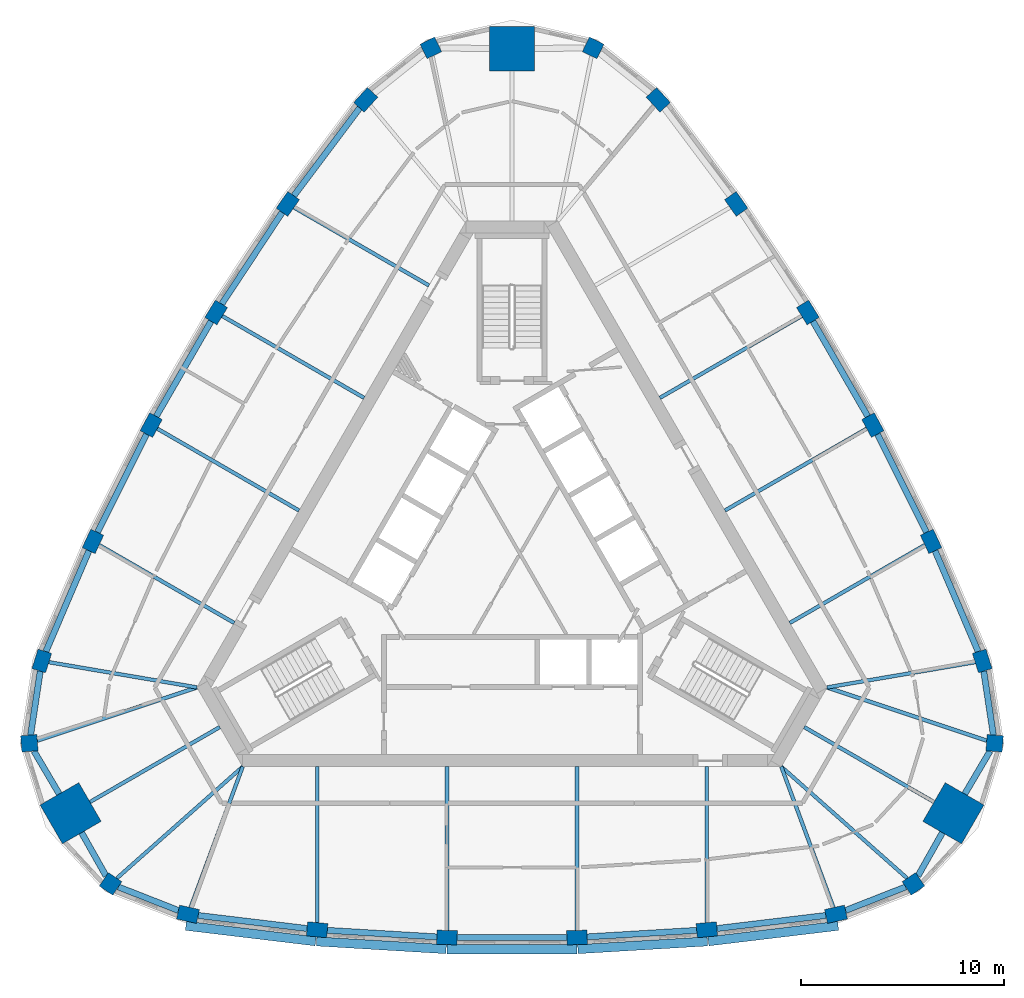
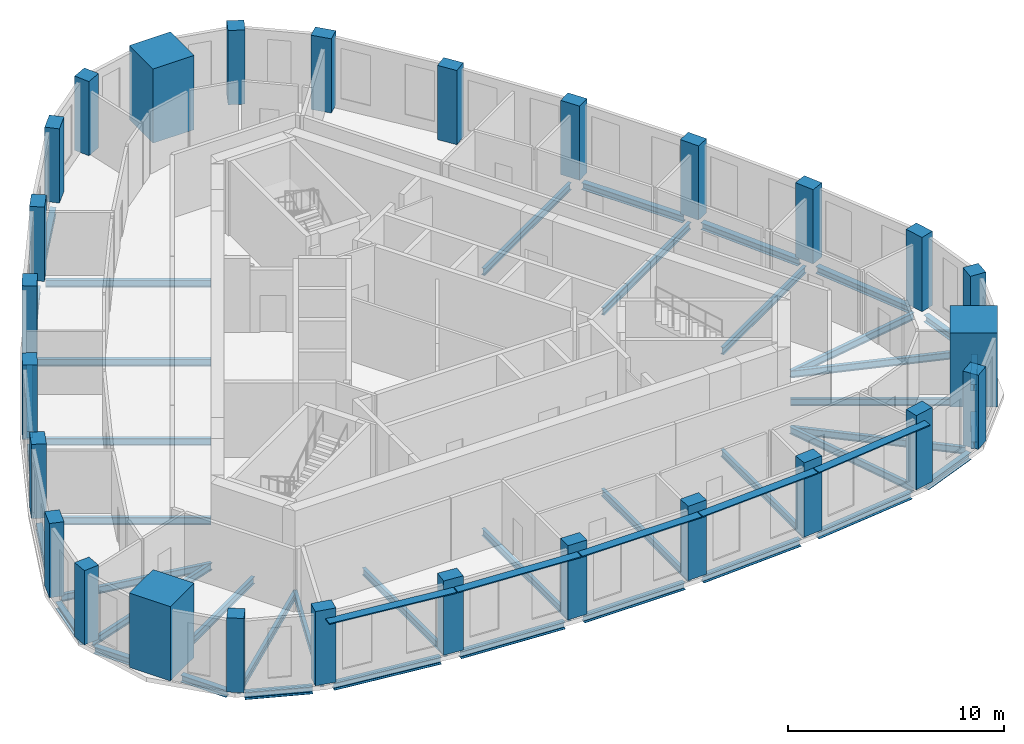
# One storey, part 1 of 10: 42 beams, 27 columns, 5 members.
"""IFC4 building model written with IfcOpenShell, lengths in metres."""

from ifc_helpers import new_model, si_unit, direction, frame, origin, origin_2d, place, context, subcontext, project, spatial, rectangle, i_section, extrude, material, material_profile, profile_set, type_object, element, save


model = new_model("IFC4")

# Units and contexts
model_context = context("Model", 3, precision=1e-05, world=origin(), true_north=direction((0.0, 1.0)))
body_context = subcontext(model_context, "Body", "Model", "MODEL_VIEW")
ifc_project = project(units=[si_unit("LENGTHUNIT", "METRE"), si_unit("AREAUNIT", "SQUARE_METRE"), si_unit("VOLUMEUNIT", "CUBIC_METRE"), si_unit("PLANEANGLEUNIT", "RADIAN"), si_unit("MASSUNIT", "GRAM", prefix="KILO")], contexts=[model_context])

# Site, building, storey
site_placement = place(None, origin())
site = spatial("IfcSite", under=ifc_project, at=site_placement, CompositionType="ELEMENT")
building_placement = place(site_placement, origin())
building = spatial("IfcBuilding", under=site, at=building_placement, Name="Mestral Congress Tower", CompositionType="ELEMENT")
storey_placement = place(building_placement, frame((0.0, 0.0, 275.39990234375)))
storey = spatial("IfcBuildingStorey", under=building, at=storey_placement, Name="L64", CompositionType="ELEMENT", Elevation=275.39990234375)

# Columns
ifc_material_1 = material(Name="Concrete C60/75", Category="concrete")
ifc_material_profile_1 = material_profile(ifc_material_1, rectangle(XDim=1.0, YDim=0.699951171875, at=origin_2d()), Name="RC 1000x700")
ifc_profile_set_1 = profile_set([ifc_material_profile_1], Name="Concrete C60/75")
column_type_1 = type_object("IfcColumnType", Name="Column RC 1000x700 C60/75", PredefinedType="COLUMN", material=ifc_profile_set_1)
for number, where, z_axis, x_axis, name in (
    (1, (-15.940673828125, -17.511962890625, 0.0), (0.0, 0.0, 1.0), (0.976233636503, -0.216720758026, 0.0), "COL-L64-C5-S00"),
    (2, (-9.587158203125, -18.273681640625, 0.0), (0.0, 0.0, 1.0), (0.995997816519, -0.089377567035, 0.0), "COL-L64-C5-S01"),
    (3, (-3.199462890625, -18.6552734375, 0.0), (0.0, 0.0, 1.0), (0.999555031657, -0.029828487872, 0.0), "COL-L64-C5-S02"),
    (4, (3.199462890625, -18.6552734375, 0.0), (0.0, 0.0, 1.0), (0.999555031657, 0.029828487872, 0.0), "COL-L64-C5-S03"),
    (5, (9.587158203125, -18.273681640625, 0.0), (0.0, 0.0, 1.0), (0.995997816519, 0.089377567035, 0.0), "COL-L64-C5-S04"),
    (6, (15.940673828125, -17.511962890625, 0.0), (0.0, 0.0, 1.0), (0.976233636503, 0.216720758026, 0.0), "COL-L64-C5-S05"),
    (7, (23.135986328125, -5.049072265625, 0.0), (0.0, 0.0, 1.0), (-0.300431136274, 0.953803508254, 0.0), "COL-L64-C5-E00"),
    (8, (20.618896484375, 0.833984375, 0.0), (0.0, 0.0, 1.0), (-0.420595664679, 0.907248194737, 0.0), "COL-L64-C5-E01"),
    (9, (17.755615234375, 6.556640625, 0.0), (0.0, 0.0, 1.0), (-0.473945287575, 0.880554293832, 0.0), "COL-L64-C5-E02"),
    (10, (14.55615234375, 12.098388671875, 0.0), (0.0, 0.0, 1.0), (-0.525609744083, 0.850725805959, 0.0), "COL-L64-C5-E03"),
    (11, (11.031982421875, 17.439697265625, 0.0), (0.0, 0.0, 1.0), (-0.57540215184, 0.817870627702, 0.0), "COL-L64-C5-E04"),
    (12, (7.1953125, 22.56103515625, 0.0), (0.0, 0.0, 1.0), (-0.67580250023, 0.737082750228, 0.0), "COL-L64-C5-E05"),
    (13, (-7.1953125, 22.56103515625, 0.0), (0.0, 0.0, 1.0), (-0.67580250023, -0.737082750228, 0.0), "COL-L64-C5-W00"),
    (14, (-11.031982421875, 17.439697265625, 0.0), (0.0, 0.0, 1.0), (-0.57540215184, -0.817870627702, 0.0), "COL-L64-C5-W01"),
    (15, (-14.55615234375, 12.098388671875, 0.0), (0.0, 0.0, 1.0), (-0.525609744083, -0.850725805959, 0.0), "COL-L64-C5-W02"),
    (16, (-17.755615234375, 6.556640625, 0.0), (0.0, 0.0, 1.0), (-0.473945287575, -0.880554293832, 0.0), "COL-L64-C5-W03"),
    (17, (-20.618896484375, 0.833984375, 0.0), (0.0, 0.0, 1.0), (-0.420595664679, -0.907248194737, 0.0), "COL-L64-C5-W04"),
    (18, (-23.135986328125, -5.049072265625, 0.0), (0.0, 0.0, 1.0), (-0.300431136274, -0.953803508254, 0.0), "COL-L64-C5-W05"),
):
    element("IfcColumn", number, at=place(storey_placement, frame(where, z_axis=z_axis, x_axis=x_axis)), inside=storey, type_object=column_type_1, Name=name, PredefinedType="COLUMN", context=body_context, shape_type="SweptSolid", body=[
        extrude(rectangle(XDim=1.0, YDim=0.699951171875, at=origin_2d()), origin(), (0.0, 0.0, 1.0), 4.2001953125),
    ])
ifc_material_profile_2 = material_profile(ifc_material_1, rectangle(XDim=0.800048828125, YDim=0.800048828125, at=origin_2d()), Name="RC 800x800")
ifc_profile_set_2 = profile_set([ifc_material_profile_2], Name="Concrete C60/75")
column_type_2 = type_object("IfcColumnType", Name="Column RC 800x800 C60/75", PredefinedType="COLUMN", material=ifc_profile_set_2)
for number, where, z_axis, x_axis, name in (
    (19, (19.75439453125, -16.0166015625, 0.0), (0.0, 0.0, 1.0), (0.826362775296, 0.563138139008, 0.0), "COL-L64-C5-SE1"),
    (20, (23.748046875, -9.099609375, 0.0), (0.0, 0.0, 1.0), (0.074510546573, 0.997220225652, 0.0), "COL-L64-C5-SE3"),
    (21, (3.993408203125, 25.1162109375, 0.0), (0.0, 0.0, 1.0), (-0.900873321869, 0.434082086644, 0.0), "COL-L64-C5-N1"),
    (22, (-3.993408203125, 25.1162109375, 0.0), (0.0, 0.0, 1.0), (-0.900873321869, -0.434082086644, 0.0), "COL-L64-C5-N3"),
    (23, (-23.748046875, -9.099609375, 0.0), (0.0, 0.0, 1.0), (0.074510546573, -0.997220225652, 0.0), "COL-L64-C5-SW1"),
    (24, (-19.75439453125, -16.0166015625, 0.0), (0.0, 0.0, 1.0), (0.826362775296, -0.563138139008, 0.0), "COL-L64-C5-SW3"),
):
    element("IfcColumn", number, at=place(storey_placement, frame(where, z_axis=z_axis, x_axis=x_axis)), inside=storey, type_object=column_type_2, Name=name, PredefinedType="COLUMN", context=body_context, shape_type="SweptSolid", body=[
        extrude(rectangle(XDim=0.800048828125, YDim=0.800048828125, at=origin_2d()), origin(), (0.0, 0.0, 1.0), 4.2001953125),
    ])
ifc_material_profile_3 = material_profile(ifc_material_1, rectangle(XDim=2.199951171875, YDim=2.199951171875, at=origin_2d()), Name="RC 2200x2200")
ifc_profile_set_3 = profile_set([ifc_material_profile_3], Name="Concrete C60/75")
column_type_3 = type_object("IfcColumnType", Name="Mega column RC 2200x2200 C60/75", PredefinedType="COLUMN", material=ifc_profile_set_3)
for number, where, z_axis, x_axis, name in (
    (25, (21.71826171875, -12.5390625, 0.0), (0.0, 0.0, 1.0), (0.866025403784, -0.5, 0.0), "COL-L64-PY5-SE"),
    (26, (0.0, 25.078125, 0.0), (0.0, 0.0, 1.0), (0.0, 1.0, 0.0), "COL-L64-PY5-N"),
    (27, (-21.71826171875, -12.5390625, 0.0), (0.0, 0.0, 1.0), (-0.866025403784, -0.5, 0.0), "COL-L64-PY5-SW"),
):
    element("IfcColumn", number, at=place(storey_placement, frame(where, z_axis=z_axis, x_axis=x_axis)), inside=storey, type_object=column_type_3, Name=name, PredefinedType="COLUMN", context=body_context, shape_type="SweptSolid", body=[
        extrude(rectangle(XDim=2.199951171875, YDim=2.199951171875, at=origin_2d()), origin(), (0.0, 0.0, 1.0), 4.2001953125),
    ])

# Members
ifc_material_2 = material(Name="Glazed ceramic", Category="masonry")
ifc_material_profile_4 = material_profile(ifc_material_2, rectangle(XDim=0.449951171875, YDim=0.06005859375, at=origin_2d()), Name="Ceramic blade 450 x 60")
ifc_profile_set_4 = profile_set([ifc_material_profile_4], Name="Glazed ceramic")
member_type = type_object("IfcMemberType", Name="Facade sunshade blade 450 x 60", PredefinedType="USERDEFINED", material=ifc_profile_set_4)
member_1_placement = place(storey_placement, frame((-16.04638671875, -18.078369140625, 3.68017578125), z_axis=(0.992890306953, -0.119032929725, 0.0), x_axis=(0.119032929725, 0.992890306953, 0.0)))
element("IfcMember", 28, at=member_1_placement, inside=storey, type_object=member_type, Name="Sunshade F0-00", ObjectType="SUNSHADE", PredefinedType="USERDEFINED", context=body_context, shape_type="SweptSolid", body=[
    extrude(rectangle(XDim=0.449951171875, YDim=0.06005859375, at=origin_2d()), origin(), (0.0, 0.0, 1.0), 6.429931640625),
])
member_2_placement = place(storey_placement, frame((-9.614990234375, -18.84814453125, 3.68017578125), z_axis=(0.998222174469, -0.059602771735, 0.0), x_axis=(0.059602771735, 0.998222174469, 0.0)))
element("IfcMember", 29, at=member_2_placement, inside=storey, type_object=member_type, Name="Sunshade F0-01", ObjectType="SUNSHADE", PredefinedType="USERDEFINED", context=body_context, shape_type="SweptSolid", body=[
    extrude(rectangle(XDim=0.449951171875, YDim=0.06005859375, at=origin_2d()), origin(), (0.0, 0.0, 1.0), 6.385986328125),
])
member_3_placement = place(storey_placement, frame((-3.193115234375, -19.230224609375, 3.68017578125), z_axis=(1.0, 0.0, 0.0), x_axis=(0.0, 1.0, 0.0)))
element("IfcMember", 30, at=member_3_placement, inside=storey, type_object=member_type, Name="Sunshade F0-02", ObjectType="SUNSHADE", PredefinedType="USERDEFINED", context=body_context, shape_type="SweptSolid", body=[
    extrude(rectangle(XDim=0.449951171875, YDim=0.06005859375, at=origin_2d()), origin(), (0.0, 0.0, 1.0), 6.38623046875),
])
member_4_placement = place(storey_placement, frame((3.240478515625, -19.228759765625, 3.68017578125), z_axis=(0.998222174469, 0.059602771735, 0.0), x_axis=(-0.059602771735, 0.998222174469, 0.0)))
element("IfcMember", 31, at=member_4_placement, inside=storey, type_object=member_type, Name="Sunshade F0-03", ObjectType="SUNSHADE", PredefinedType="USERDEFINED", context=body_context, shape_type="SweptSolid", body=[
    extrude(rectangle(XDim=0.449951171875, YDim=0.06005859375, at=origin_2d()), origin(), (0.0, 0.0, 1.0), 6.385986328125),
])
member_5_placement = place(storey_placement, frame((9.662109375, -18.84375, 3.68017578125), z_axis=(0.992890306953, 0.119032929725, 0.0), x_axis=(-0.119032929725, 0.992890306953, 0.0)))
element("IfcMember", 32, at=member_5_placement, inside=storey, type_object=member_type, Name="Sunshade F0-04", ObjectType="SUNSHADE", PredefinedType="USERDEFINED", context=body_context, shape_type="SweptSolid", body=[
    extrude(rectangle(XDim=0.449951171875, YDim=0.06005859375, at=origin_2d()), origin(), (0.0, 0.0, 1.0), 6.429931640625),
])

# Beams
ifc_material_3 = material(Name="Steel S355", Category="steel")
ifc_material_profile_5 = material_profile(ifc_material_3, i_section(OverallWidth=0.179931640625, OverallDepth=0.39990234375, WebThickness=0.008544921875, FlangeThickness=0.013427734375, FilletRadius=0.02099609375, at=origin_2d()), Name="IPE 400")
ifc_profile_set_5 = profile_set([ifc_material_profile_5], Name="Steel S355")
beam_type_1 = type_object("IfcBeamType", Name="Floor beam IPE 400 S355", PredefinedType="BEAM", material=ifc_profile_set_5)
beam_1_placement = place(storey_placement, frame((-15.81787109375, -17.1806640625, -0.449951171875), z_axis=(0.347399345496, 0.937717278687, 0.0), x_axis=(-0.937717278687, 0.347399345496, 0.0)))
element("IfcBeam", 33, at=beam_1_placement, inside=storey, type_object=beam_type_1, Name="BM-L64-RB5-S00", PredefinedType="BEAM", context=body_context, shape_type="SweptSolid", body=[
    extrude(i_section(OverallWidth=0.179931640625, OverallDepth=0.39990234375, WebThickness=0.008544921875, FlangeThickness=0.013427734375, FilletRadius=0.02099609375, at=origin_2d()), origin(), (0.0, 0.0, 1.0), 7.39111328125),
])
beam_2_placement = place(storey_placement, frame((-9.587158203125, -17.92236328125, -0.449951171875), z_axis=(0.0, 1.0, 0.0), x_axis=(-1.0, 0.0, 0.0)))
element("IfcBeam", 34, at=beam_2_placement, inside=storey, type_object=beam_type_1, Name="BM-L64-RB5-S01", PredefinedType="BEAM", context=body_context, shape_type="SweptSolid", body=[
    extrude(i_section(OverallWidth=0.179931640625, OverallDepth=0.39990234375, WebThickness=0.008544921875, FlangeThickness=0.013427734375, FilletRadius=0.02099609375, at=origin_2d()), origin(), (0.0, 0.0, 1.0), 7.67236328125),
])
for number, where, z_axis, x_axis, name in (
    (35, (-3.199462890625, -18.304931640625, -0.449951171875), (0.0, 1.0, 0.0), (-1.0, 0.0, 0.0), "BM-L64-RB5-S02"),
    (36, (3.199462890625, -18.304931640625, -0.449951171875), (0.0, 1.0, 0.0), (-1.0, 0.0, 0.0), "BM-L64-RB5-S03"),
):
    element("IfcBeam", number, at=place(storey_placement, frame(where, z_axis=z_axis, x_axis=x_axis)), inside=storey, type_object=beam_type_1, Name=name, PredefinedType="BEAM", context=body_context, shape_type="SweptSolid", body=[
        extrude(i_section(OverallWidth=0.179931640625, OverallDepth=0.39990234375, WebThickness=0.008544921875, FlangeThickness=0.013427734375, FilletRadius=0.02099609375, at=origin_2d()), origin(), (0.0, 0.0, 1.0), 8.054931640625),
    ])
beam_3_placement = place(storey_placement, frame((9.587158203125, -17.92236328125, -0.449951171875), z_axis=(0.0, 1.0, 0.0), x_axis=(-1.0, 0.0, 0.0)))
element("IfcBeam", 37, at=beam_3_placement, inside=storey, type_object=beam_type_1, Name="BM-L64-RB5-S04", PredefinedType="BEAM", context=body_context, shape_type="SweptSolid", body=[
    extrude(i_section(OverallWidth=0.179931640625, OverallDepth=0.39990234375, WebThickness=0.008544921875, FlangeThickness=0.013427734375, FilletRadius=0.02099609375, at=origin_2d()), origin(), (0.0, 0.0, 1.0), 7.67236328125),
])
beam_4_placement = place(storey_placement, frame((15.81787109375, -17.1806640625, -0.449951171875), z_axis=(-0.347399345496, 0.937717278687, 0.0), x_axis=(-0.937717278687, -0.347399345496, 0.0)))
element("IfcBeam", 38, at=beam_4_placement, inside=storey, type_object=beam_type_1, Name="BM-L64-RB5-S05", PredefinedType="BEAM", context=body_context, shape_type="SweptSolid", body=[
    extrude(i_section(OverallWidth=0.179931640625, OverallDepth=0.39990234375, WebThickness=0.008544921875, FlangeThickness=0.013427734375, FilletRadius=0.02099609375, at=origin_2d()), origin(), (0.0, 0.0, 1.0), 7.39111328125),
])
beam_5_placement = place(storey_placement, frame((19.44580078125, -15.742919921875, -0.449951171875), z_axis=(-0.74826277439, 0.663402457383, 0.0), x_axis=(-0.663402457383, -0.74826277439, 0.0)))
element("IfcBeam", 39, at=beam_5_placement, inside=storey, type_object=beam_type_1, Name="BM-L64-RB5-SE1", PredefinedType="BEAM", context=body_context, shape_type="SweptSolid", body=[
    extrude(i_section(OverallWidth=0.179931640625, OverallDepth=0.39990234375, WebThickness=0.008544921875, FlangeThickness=0.013427734375, FilletRadius=0.02099609375, at=origin_2d()), origin(), (0.0, 0.0, 1.0), 8.280029296875),
])
beam_6_placement = place(storey_placement, frame((20.765625, -11.989013671875, -0.449951171875), z_axis=(-0.866031296205, 0.499989793889, 0.0), x_axis=(-0.499989793889, -0.866031296205, 0.0)))
element("IfcBeam", 40, at=beam_6_placement, inside=storey, type_object=beam_type_1, Name="BM-L64-RB5-SE", PredefinedType="BEAM", context=body_context, shape_type="SweptSolid", body=[
    extrude(i_section(OverallWidth=0.179931640625, OverallDepth=0.39990234375, WebThickness=0.008544921875, FlangeThickness=0.013427734375, FilletRadius=0.02099609375, at=origin_2d()), origin(), (0.0, 0.0, 1.0), 7.378173828125),
])
beam_7_placement = place(storey_placement, frame((23.356689453125, -8.968994140625, -0.449951171875), z_axis=(-0.948659706446, 0.316298532031, 0.0), x_axis=(-0.316298532031, -0.948659706446, 0.0)))
element("IfcBeam", 41, at=beam_7_placement, inside=storey, type_object=beam_type_1, Name="BM-L64-RB5-SE3", PredefinedType="BEAM", context=body_context, shape_type="SweptSolid", body=[
    extrude(i_section(OverallWidth=0.179931640625, OverallDepth=0.39990234375, WebThickness=0.008544921875, FlangeThickness=0.013427734375, FilletRadius=0.02099609375, at=origin_2d()), origin(), (0.0, 0.0, 1.0), 8.27978515625),
])
beam_8_placement = place(storey_placement, frame((22.787841796875, -5.1083984375, -0.449951171875), z_axis=(-0.985786503242, -0.168002886958, 0.0), x_axis=(0.168002886958, -0.985786503242, 0.0)))
element("IfcBeam", 42, at=beam_8_placement, inside=storey, type_object=beam_type_1, Name="BM-L64-RB5-E00", PredefinedType="BEAM", context=body_context, shape_type="SweptSolid", body=[
    extrude(i_section(OverallWidth=0.179931640625, OverallDepth=0.39990234375, WebThickness=0.008544921875, FlangeThickness=0.013427734375, FilletRadius=0.02099609375, at=origin_2d()), origin(), (0.0, 0.0, 1.0), 7.390869140625),
])
beam_9_placement = place(storey_placement, frame((20.314697265625, 0.658447265625, -0.449951171875), z_axis=(-0.866019720907, -0.500009842903, 0.0), x_axis=(0.500009842903, -0.866019720907, 0.0)))
element("IfcBeam", 43, at=beam_9_placement, inside=storey, type_object=beam_type_1, Name="BM-L64-RB5-E01", PredefinedType="BEAM", context=body_context, shape_type="SweptSolid", body=[
    extrude(i_section(OverallWidth=0.179931640625, OverallDepth=0.39990234375, WebThickness=0.008544921875, FlangeThickness=0.013427734375, FilletRadius=0.02099609375, at=origin_2d()), origin(), (0.0, 0.0, 1.0), 7.672119140625),
])
for number, where, z_axis, x_axis, name in (
    (44, (17.452392578125, 6.381591796875, -0.449951171875), (-0.866020537834, -0.500008427979, 0.0), (0.500008427979, -0.866020537834, 0.0), "BM-L64-RB5-E02"),
    (45, (14.2529296875, 11.92333984375, -0.449951171875), (-0.866033662086, -0.499985695929, 0.0), (0.499985695929, -0.866033662086, 0.0), "BM-L64-RB5-E03"),
):
    element("IfcBeam", number, at=place(storey_placement, frame(where, z_axis=z_axis, x_axis=x_axis)), inside=storey, type_object=beam_type_1, Name=name, PredefinedType="BEAM", context=body_context, shape_type="SweptSolid", body=[
        extrude(i_section(OverallWidth=0.179931640625, OverallDepth=0.39990234375, WebThickness=0.008544921875, FlangeThickness=0.013427734375, FilletRadius=0.02099609375, at=origin_2d()), origin(), (0.0, 0.0, 1.0), 8.054931640625),
    ])
beam_10_placement = place(storey_placement, frame((-10.7275390625, 17.263916015625, -0.449951171875), z_axis=(0.866019720907, -0.500009842903, 0.0), x_axis=(0.500009842903, 0.866019720907, 0.0)))
element("IfcBeam", 46, at=beam_10_placement, inside=storey, type_object=beam_type_1, Name="BM-L64-RB5-W01", PredefinedType="BEAM", context=body_context, shape_type="SweptSolid", body=[
    extrude(i_section(OverallWidth=0.179931640625, OverallDepth=0.39990234375, WebThickness=0.008544921875, FlangeThickness=0.013427734375, FilletRadius=0.02099609375, at=origin_2d()), origin(), (0.0, 0.0, 1.0), 7.672119140625),
])
for number, where, z_axis, x_axis, name in (
    (47, (-14.2529296875, 11.92333984375, -0.449951171875), (0.866033662086, -0.499985695929, 0.0), (0.499985695929, 0.866033662086, 0.0), "BM-L64-RB5-W02"),
    (48, (-17.452392578125, 6.381591796875, -0.449951171875), (0.866020537834, -0.500008427979, 0.0), (0.500008427979, 0.866020537834, 0.0), "BM-L64-RB5-W03"),
):
    element("IfcBeam", number, at=place(storey_placement, frame(where, z_axis=z_axis, x_axis=x_axis)), inside=storey, type_object=beam_type_1, Name=name, PredefinedType="BEAM", context=body_context, shape_type="SweptSolid", body=[
        extrude(i_section(OverallWidth=0.179931640625, OverallDepth=0.39990234375, WebThickness=0.008544921875, FlangeThickness=0.013427734375, FilletRadius=0.02099609375, at=origin_2d()), origin(), (0.0, 0.0, 1.0), 8.054931640625),
    ])
beam_11_placement = place(storey_placement, frame((-20.314697265625, 0.658447265625, -0.449951171875), z_axis=(0.866019720907, -0.500009842903, 0.0), x_axis=(0.500009842903, 0.866019720907, 0.0)))
element("IfcBeam", 49, at=beam_11_placement, inside=storey, type_object=beam_type_1, Name="BM-L64-RB5-W04", PredefinedType="BEAM", context=body_context, shape_type="SweptSolid", body=[
    extrude(i_section(OverallWidth=0.179931640625, OverallDepth=0.39990234375, WebThickness=0.008544921875, FlangeThickness=0.013427734375, FilletRadius=0.02099609375, at=origin_2d()), origin(), (0.0, 0.0, 1.0), 7.672119140625),
])
beam_12_placement = place(storey_placement, frame((-22.787841796875, -5.1083984375, -0.449951171875), z_axis=(0.985786503242, -0.168002886958, 0.0), x_axis=(0.168002886958, 0.985786503242, 0.0)))
element("IfcBeam", 50, at=beam_12_placement, inside=storey, type_object=beam_type_1, Name="BM-L64-RB5-W05", PredefinedType="BEAM", context=body_context, shape_type="SweptSolid", body=[
    extrude(i_section(OverallWidth=0.179931640625, OverallDepth=0.39990234375, WebThickness=0.008544921875, FlangeThickness=0.013427734375, FilletRadius=0.02099609375, at=origin_2d()), origin(), (0.0, 0.0, 1.0), 7.390869140625),
])
beam_13_placement = place(storey_placement, frame((-23.356689453125, -8.968994140625, -0.449951171875), z_axis=(0.948659706446, 0.316298532031, 0.0), x_axis=(-0.316298532031, 0.948659706446, 0.0)))
element("IfcBeam", 51, at=beam_13_placement, inside=storey, type_object=beam_type_1, Name="BM-L64-RB5-SW1", PredefinedType="BEAM", context=body_context, shape_type="SweptSolid", body=[
    extrude(i_section(OverallWidth=0.179931640625, OverallDepth=0.39990234375, WebThickness=0.008544921875, FlangeThickness=0.013427734375, FilletRadius=0.02099609375, at=origin_2d()), origin(), (0.0, 0.0, 1.0), 8.27978515625),
])
beam_14_placement = place(storey_placement, frame((-20.765625, -11.989013671875, -0.449951171875), z_axis=(0.866031296205, 0.499989793889, 0.0), x_axis=(-0.499989793889, 0.866031296205, 0.0)))
element("IfcBeam", 52, at=beam_14_placement, inside=storey, type_object=beam_type_1, Name="BM-L64-RB5-SW", PredefinedType="BEAM", context=body_context, shape_type="SweptSolid", body=[
    extrude(i_section(OverallWidth=0.179931640625, OverallDepth=0.39990234375, WebThickness=0.008544921875, FlangeThickness=0.013427734375, FilletRadius=0.02099609375, at=origin_2d()), origin(), (0.0, 0.0, 1.0), 7.378173828125),
])
beam_15_placement = place(storey_placement, frame((-19.44580078125, -15.742919921875, -0.449951171875), z_axis=(0.74826277439, 0.663402457383, 0.0), x_axis=(-0.663402457383, 0.74826277439, 0.0)))
element("IfcBeam", 53, at=beam_15_placement, inside=storey, type_object=beam_type_1, Name="BM-L64-RB5-SW3", PredefinedType="BEAM", context=body_context, shape_type="SweptSolid", body=[
    extrude(i_section(OverallWidth=0.179931640625, OverallDepth=0.39990234375, WebThickness=0.008544921875, FlangeThickness=0.013427734375, FilletRadius=0.02099609375, at=origin_2d()), origin(), (0.0, 0.0, 1.0), 8.280029296875),
])
ifc_material_profile_6 = material_profile(ifc_material_3, i_section(OverallWidth=0.300048828125, OverallDepth=0.389892578125, WebThickness=0.010986328125, FlangeThickness=0.01904296875, FilletRadius=0.027099609375, at=origin_2d()), Name="HEA 400")
ifc_profile_set_6 = profile_set([ifc_material_profile_6], Name="Steel S355")
beam_type_2 = type_object("IfcBeamType", Name="Spandrel beam HEA 400 S355", PredefinedType="BEAM", material=ifc_profile_set_6)
beam_16_placement = place(storey_placement, frame((-15.44189453125, -17.57177734375, -0.44482421875), z_axis=(0.992890319222, -0.119032827389, 0.0), x_axis=(0.119032827389, 0.992890319222, 0.0)))
element("IfcBeam", 54, at=beam_16_placement, inside=storey, type_object=beam_type_2, Name="SP-L64-SB5-S00", PredefinedType="BEAM", context=body_context, shape_type="SweptSolid", body=[
    extrude(i_section(OverallWidth=0.300048828125, OverallDepth=0.389892578125, WebThickness=0.010986328125, FlangeThickness=0.01904296875, FilletRadius=0.027099609375, at=origin_2d()), origin(), (0.0, 0.0, 1.0), 5.396240234375),
])
beam_17_placement = place(storey_placement, frame((-9.087890625, -18.303466796875, -0.44482421875), z_axis=(0.998219522722, -0.059647166371, 0.0), x_axis=(0.059647166371, 0.998219522722, 0.0)))
element("IfcBeam", 55, at=beam_17_placement, inside=storey, type_object=beam_type_2, Name="SP-L64-SB5-S01", PredefinedType="BEAM", context=body_context, shape_type="SweptSolid", body=[
    extrude(i_section(OverallWidth=0.300048828125, OverallDepth=0.389892578125, WebThickness=0.010986328125, FlangeThickness=0.01904296875, FilletRadius=0.027099609375, at=origin_2d()), origin(), (0.0, 0.0, 1.0), 5.398681640625),
])
beam_18_placement = place(storey_placement, frame((-2.69921875, -18.6552734375, -0.44482421875), z_axis=(1.0, 0.0, 0.0), x_axis=(0.0, 1.0, 0.0)))
element("IfcBeam", 56, at=beam_18_placement, inside=storey, type_object=beam_type_2, Name="SP-L64-SB5-S02", PredefinedType="BEAM", context=body_context, shape_type="SweptSolid", body=[
    extrude(i_section(OverallWidth=0.300048828125, OverallDepth=0.389892578125, WebThickness=0.010986328125, FlangeThickness=0.01904296875, FilletRadius=0.027099609375, at=origin_2d()), origin(), (0.0, 0.0, 1.0), 5.3984375),
])
beam_19_placement = place(storey_placement, frame((3.69873046875, -18.62548828125, -0.44482421875), z_axis=(0.998219522722, 0.059647166371, 0.0), x_axis=(-0.059647166371, 0.998219522722, 0.0)))
element("IfcBeam", 57, at=beam_19_placement, inside=storey, type_object=beam_type_2, Name="SP-L64-SB5-S03", PredefinedType="BEAM", context=body_context, shape_type="SweptSolid", body=[
    extrude(i_section(OverallWidth=0.300048828125, OverallDepth=0.389892578125, WebThickness=0.010986328125, FlangeThickness=0.01904296875, FilletRadius=0.027099609375, at=origin_2d()), origin(), (0.0, 0.0, 1.0), 5.398681640625),
])
beam_20_placement = place(storey_placement, frame((10.083984375, -18.214111328125, -0.44482421875), z_axis=(0.992890319222, 0.119032827389, 0.0), x_axis=(-0.119032827389, 0.992890319222, 0.0)))
element("IfcBeam", 58, at=beam_20_placement, inside=storey, type_object=beam_type_2, Name="SP-L64-SB5-S04", PredefinedType="BEAM", context=body_context, shape_type="SweptSolid", body=[
    extrude(i_section(OverallWidth=0.300048828125, OverallDepth=0.389892578125, WebThickness=0.010986328125, FlangeThickness=0.01904296875, FilletRadius=0.027099609375, at=origin_2d()), origin(), (0.0, 0.0, 1.0), 5.396240234375),
])
beam_21_placement = place(storey_placement, frame((16.411865234375, -17.3271484375, -0.44482421875), z_axis=(0.930980873283, 0.365067957485, 0.0), x_axis=(-0.365067957485, 0.930980873283, 0.0)))
element("IfcBeam", 59, at=beam_21_placement, inside=storey, type_object=beam_type_2, Name="SP-L64-SB5-S05", PredefinedType="BEAM", context=body_context, shape_type="SweptSolid", body=[
    extrude(i_section(OverallWidth=0.300048828125, OverallDepth=0.389892578125, WebThickness=0.010986328125, FlangeThickness=0.01904296875, FilletRadius=0.027099609375, at=origin_2d()), origin(), (0.0, 0.0, 1.0), 3.179931640625),
])
beam_22_placement = place(storey_placement, frame((19.9736328125, -15.628173828125, -0.44482421875), z_axis=(0.491728558518, 0.870748542771, 0.0), x_axis=(-0.870748542771, 0.491728558518, 0.0)))
element("IfcBeam", 60, at=beam_22_placement, inside=storey, type_object=beam_type_2, Name="SP-L64-SB5-SE1", PredefinedType="BEAM", context=body_context, shape_type="SweptSolid", body=[
    extrude(i_section(OverallWidth=0.300048828125, OverallDepth=0.389892578125, WebThickness=0.010986328125, FlangeThickness=0.01904296875, FilletRadius=0.027099609375, at=origin_2d()), origin(), (0.0, 0.0, 1.0), 2.44775390625),
])
beam_23_placement = place(storey_placement, frame((22.27734375, -11.591552734375, -0.44482421875), z_axis=(0.508218412694, 0.861228218882, 0.0), x_axis=(-0.861228218882, 0.508218412694, 0.0)))
element("IfcBeam", 61, at=beam_23_placement, inside=storey, type_object=beam_type_2, Name="SP-L64-SB5-SE", PredefinedType="BEAM", context=body_context, shape_type="SweptSolid", body=[
    extrude(i_section(OverallWidth=0.300048828125, OverallDepth=0.389892578125, WebThickness=0.010986328125, FlangeThickness=0.01904296875, FilletRadius=0.027099609375, at=origin_2d()), origin(), (0.0, 0.0, 1.0), 2.447509765625),
])
beam_24_placement = place(storey_placement, frame((23.686767578125, -8.69384765625, -0.44482421875), z_axis=(-0.149402818736, 0.98877641444, 0.0), x_axis=(-0.98877641444, -0.149402818736, 0.0)))
element("IfcBeam", 62, at=beam_24_placement, inside=storey, type_object=beam_type_2, Name="SP-L64-SB5-SE3", PredefinedType="BEAM", context=body_context, shape_type="SweptSolid", body=[
    extrude(i_section(OverallWidth=0.300048828125, OverallDepth=0.389892578125, WebThickness=0.010986328125, FlangeThickness=0.01904296875, FilletRadius=0.027099609375, at=origin_2d()), origin(), (0.0, 0.0, 1.0), 3.179931640625),
])
beam_25_placement = place(storey_placement, frame((22.9384765625, -4.587158203125, -0.44482421875), z_axis=(-0.393367759324, 0.919381208164, 0.0), x_axis=(-0.919381208164, -0.393367759324, 0.0)))
element("IfcBeam", 63, at=beam_25_placement, inside=storey, type_object=beam_type_2, Name="SP-L64-SB5-E00", PredefinedType="BEAM", context=body_context, shape_type="SweptSolid", body=[
    extrude(i_section(OverallWidth=0.300048828125, OverallDepth=0.389892578125, WebThickness=0.010986328125, FlangeThickness=0.01904296875, FilletRadius=0.027099609375, at=origin_2d()), origin(), (0.0, 0.0, 1.0), 5.396484375),
])
beam_26_placement = place(storey_placement, frame((20.395263671875, 1.281494140625, -0.44482421875), z_axis=(-0.44748491494, 0.894291479832, 0.0), x_axis=(-0.894291479832, -0.44748491494, 0.0)))
element("IfcBeam", 64, at=beam_26_placement, inside=storey, type_object=beam_type_2, Name="SP-L64-SB5-E01", PredefinedType="BEAM", context=body_context, shape_type="SweptSolid", body=[
    extrude(i_section(OverallWidth=0.300048828125, OverallDepth=0.389892578125, WebThickness=0.010986328125, FlangeThickness=0.01904296875, FilletRadius=0.027099609375, at=origin_2d()), origin(), (0.0, 0.0, 1.0), 5.3984375),
])
beam_27_placement = place(storey_placement, frame((17.505615234375, 6.989990234375, -0.44482421875), z_axis=(-0.500025177812, 0.86601086688, 0.0), x_axis=(-0.86601086688, -0.500025177812, 0.0)))
element("IfcBeam", 65, at=beam_27_placement, inside=storey, type_object=beam_type_2, Name="SP-L64-SB5-E02", PredefinedType="BEAM", context=body_context, shape_type="SweptSolid", body=[
    extrude(i_section(OverallWidth=0.300048828125, OverallDepth=0.389892578125, WebThickness=0.010986328125, FlangeThickness=0.01904296875, FilletRadius=0.027099609375, at=origin_2d()), origin(), (0.0, 0.0, 1.0), 5.398681640625),
])
beam_28_placement = place(storey_placement, frame((-7.49658203125, 22.158935546875, -0.44482421875), z_axis=(-0.599529393236, -0.800352738888, 0.0), x_axis=(0.800352738888, -0.599529393236, 0.0)))
element("IfcBeam", 66, at=beam_28_placement, inside=storey, type_object=beam_type_2, Name="SP-L64-SB5-W00", PredefinedType="BEAM", context=body_context, shape_type="SweptSolid", body=[
    extrude(i_section(OverallWidth=0.300048828125, OverallDepth=0.389892578125, WebThickness=0.010986328125, FlangeThickness=0.01904296875, FilletRadius=0.027099609375, at=origin_2d()), origin(), (0.0, 0.0, 1.0), 5.396484375),
])
beam_29_placement = place(storey_placement, frame((-11.307373046875, 17.02197265625, -0.44482421875), z_axis=(-0.550748957655, -0.83467094453, 0.0), x_axis=(0.83467094453, -0.550748957655, 0.0)))
element("IfcBeam", 67, at=beam_29_placement, inside=storey, type_object=beam_type_2, Name="SP-L64-SB5-W01", PredefinedType="BEAM", context=body_context, shape_type="SweptSolid", body=[
    extrude(i_section(OverallWidth=0.300048828125, OverallDepth=0.389892578125, WebThickness=0.010986328125, FlangeThickness=0.01904296875, FilletRadius=0.027099609375, at=origin_2d()), origin(), (0.0, 0.0, 1.0), 5.3984375),
])
beam_30_placement = place(storey_placement, frame((-14.80615234375, 11.665283203125, -0.44482421875), z_axis=(-0.500025177812, -0.86601086688, 0.0), x_axis=(0.86601086688, -0.500025177812, 0.0)))
element("IfcBeam", 68, at=beam_30_placement, inside=storey, type_object=beam_type_2, Name="SP-L64-SB5-W02", PredefinedType="BEAM", context=body_context, shape_type="SweptSolid", body=[
    extrude(i_section(OverallWidth=0.300048828125, OverallDepth=0.389892578125, WebThickness=0.010986328125, FlangeThickness=0.01904296875, FilletRadius=0.027099609375, at=origin_2d()), origin(), (0.0, 0.0, 1.0), 5.398681640625),
])
beam_31_placement = place(storey_placement, frame((-17.9794921875, 6.109375, -0.44482421875), z_axis=(-0.44748491494, -0.894291479832, 0.0), x_axis=(0.894291479832, -0.44748491494, 0.0)))
element("IfcBeam", 69, at=beam_31_placement, inside=storey, type_object=beam_type_2, Name="SP-L64-SB5-W03", PredefinedType="BEAM", context=body_context, shape_type="SweptSolid", body=[
    extrude(i_section(OverallWidth=0.300048828125, OverallDepth=0.389892578125, WebThickness=0.010986328125, FlangeThickness=0.01904296875, FilletRadius=0.027099609375, at=origin_2d()), origin(), (0.0, 0.0, 1.0), 5.3984375),
])
beam_32_placement = place(storey_placement, frame((-20.815673828125, 0.374267578125, -0.44482421875), z_axis=(-0.393367759324, -0.919381208164, 0.0), x_axis=(0.919381208164, -0.393367759324, 0.0)))
element("IfcBeam", 70, at=beam_32_placement, inside=storey, type_object=beam_type_2, Name="SP-L64-SB5-W04", PredefinedType="BEAM", context=body_context, shape_type="SweptSolid", body=[
    extrude(i_section(OverallWidth=0.300048828125, OverallDepth=0.389892578125, WebThickness=0.010986328125, FlangeThickness=0.01904296875, FilletRadius=0.027099609375, at=origin_2d()), origin(), (0.0, 0.0, 1.0), 5.396484375),
])
beam_33_placement = place(storey_placement, frame((-23.211669921875, -5.549560546875, -0.44482421875), z_axis=(-0.149402818736, -0.98877641444, 0.0), x_axis=(0.98877641444, -0.149402818736, 0.0)))
element("IfcBeam", 71, at=beam_33_placement, inside=storey, type_object=beam_type_2, Name="SP-L64-SB5-W05", PredefinedType="BEAM", context=body_context, shape_type="SweptSolid", body=[
    extrude(i_section(OverallWidth=0.300048828125, OverallDepth=0.389892578125, WebThickness=0.010986328125, FlangeThickness=0.01904296875, FilletRadius=0.027099609375, at=origin_2d()), origin(), (0.0, 0.0, 1.0), 3.179931640625),
])
beam_34_placement = place(storey_placement, frame((-23.521240234375, -9.483642578125, -0.44482421875), z_axis=(0.508218412694, -0.861228218882, 0.0), x_axis=(0.861228218882, 0.508218412694, 0.0)))
element("IfcBeam", 72, at=beam_34_placement, inside=storey, type_object=beam_type_2, Name="SP-L64-SB5-SW1", PredefinedType="BEAM", context=body_context, shape_type="SweptSolid", body=[
    extrude(i_section(OverallWidth=0.300048828125, OverallDepth=0.389892578125, WebThickness=0.010986328125, FlangeThickness=0.01904296875, FilletRadius=0.027099609375, at=origin_2d()), origin(), (0.0, 0.0, 1.0), 2.447509765625),
])
beam_35_placement = place(storey_placement, frame((-21.17724609375, -13.496826171875, -0.44482421875), z_axis=(0.491728558518, -0.870748542771, 0.0), x_axis=(0.870748542771, 0.491728558518, 0.0)))
element("IfcBeam", 73, at=beam_35_placement, inside=storey, type_object=beam_type_2, Name="SP-L64-SB5-SW", PredefinedType="BEAM", context=body_context, shape_type="SweptSolid", body=[
    extrude(i_section(OverallWidth=0.300048828125, OverallDepth=0.389892578125, WebThickness=0.010986328125, FlangeThickness=0.01904296875, FilletRadius=0.027099609375, at=origin_2d()), origin(), (0.0, 0.0, 1.0), 2.44775390625),
])
beam_36_placement = place(storey_placement, frame((-19.372314453125, -16.166259765625, -0.44482421875), z_axis=(0.930980873283, -0.365067957485, 0.0), x_axis=(0.365067957485, 0.930980873283, 0.0)))
element("IfcBeam", 74, at=beam_36_placement, inside=storey, type_object=beam_type_2, Name="SP-L64-SB5-SW3", PredefinedType="BEAM", context=body_context, shape_type="SweptSolid", body=[
    extrude(i_section(OverallWidth=0.300048828125, OverallDepth=0.389892578125, WebThickness=0.010986328125, FlangeThickness=0.01904296875, FilletRadius=0.027099609375, at=origin_2d()), origin(), (0.0, 0.0, 1.0), 3.179931640625),
])

save(model, "model.ifc")
